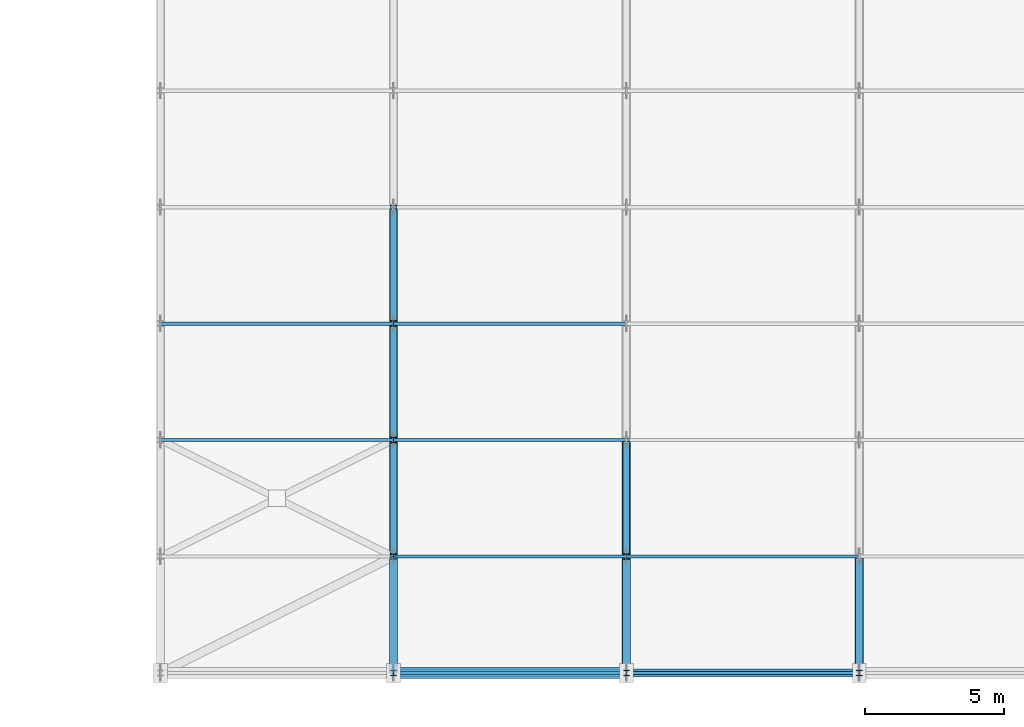
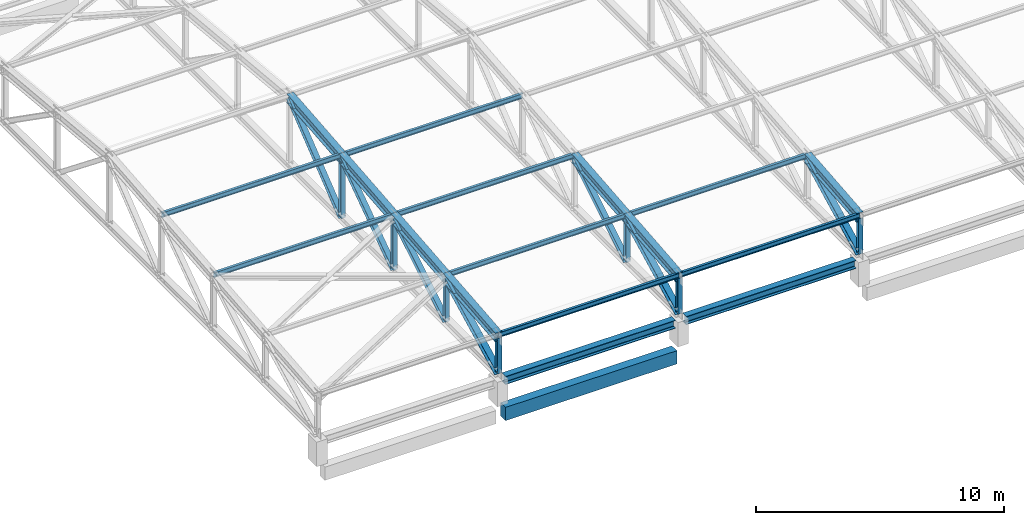
# One storey, part 12 of 74: 22 members, 10 beams.
"""IFC4 building model written with IfcOpenShell, lengths in metres."""

import ifcopenshell
import ifcopenshell.guid

model = None  # the IFC model being written
_history = None  # IfcOwnerHistory: only IFC2X3 demands one
_inside = {}  # id of a spatial element -> (the spatial element, [elements in it])
_under = {}  # id of a project, library or spatial element -> (it, [spatial elements below it])
_declared = {}  # id of a project -> (the project, [libraries it declares])
_typed = {}  # id of a type object -> (the type object, [elements of that type])
_made_of = {}  # id of a material, layer set ... -> (it, [elements and type objects made of it])


def new_model(schema):
    """Start an empty IFC model of exactly this schema.

    Asked for "IFC4X3", IfcOpenShell would pick the latest addendum, in which some entities
    have other attributes; the version numbers below select the first issue.
    IFC2X3 requires an IfcOwnerHistory on every rooted entity: one is made here for all.
    """
    global model, _history
    if schema == "IFC4X3":
        model = ifcopenshell.file(schema_version=(4, 3, 0, 0))
    else:
        model = ifcopenshell.file(schema=schema)
    _inside.clear()
    _under.clear()
    _declared.clear()
    _typed.clear()
    _made_of.clear()
    _history = None
    if model.schema == "IFC2X3":
        org = make("IfcOrganization", Name="unknown")
        user = make(
            "IfcPersonAndOrganization",
            ThePerson=make("IfcPerson", FamilyName="unknown"),
            TheOrganization=org,
        )
        app = make(
            "IfcApplication",
            ApplicationDeveloper=org,
            Version="unknown",
            ApplicationFullName="unknown",
            ApplicationIdentifier="unknown",
        )
        _history = make(
            "IfcOwnerHistory",
            OwningUser=user,
            OwningApplication=app,
            ChangeAction="ADDED",
            CreationDate=0,
        )
    return model


def make(cls, **values):
    """One entity of the class cls with the attributes given. An attribute that is None is left unset."""
    return model.create_entity(
        cls, **{name: value for name, value in values.items() if value is not None}
    )


def rooted(cls, **values):
    """An entity with a GlobalId (a new one), such as an element, a storey or a relation."""
    return make(cls, GlobalId=ifcopenshell.guid.new(), OwnerHistory=_history, **values)


def si_unit(unit_type, name, prefix=None):
    """IfcSIUnit, for example si_unit("LENGTHUNIT", "METRE", prefix="MILLI")."""
    return make("IfcSIUnit", UnitType=unit_type, Prefix=prefix, Name=name)


def derived_unit(unit_type, elements):
    """IfcDerivedUnit: a product of units, each with its exponent."""
    return make(
        "IfcDerivedUnit",
        Elements=[
            make("IfcDerivedUnitElement", Unit=unit, Exponent=power)
            for unit, power in elements
        ],
        UnitType=unit_type,
    )


def assignment(units):
    """IfcUnitAssignment: the units of a project."""
    return None if units is None else make("IfcUnitAssignment", Units=units)


def point(xyz):
    """IfcCartesianPoint."""
    return None if xyz is None else make("IfcCartesianPoint", Coordinates=xyz)


def direction(xyz):
    """IfcDirection."""
    return None if xyz is None else make("IfcDirection", DirectionRatios=xyz)


def frame(location, z_axis=None, x_axis=None):
    """IfcAxis2Placement3D, a coordinate frame: its origin and axes. An axis left out is left unset."""
    return make(
        "IfcAxis2Placement3D",
        Location=point(location),
        Axis=direction(z_axis),
        RefDirection=direction(x_axis),
    )


def frame_2d(location, x_axis=None):
    """IfcAxis2Placement2D, a coordinate frame in the plane: its origin and x axis."""
    return make(
        "IfcAxis2Placement2D", Location=point(location), RefDirection=direction(x_axis)
    )


def origin():
    """The frame at (0, 0, 0) with its axes left unset."""
    return frame((0.0, 0.0, 0.0))


def origin_2d():
    """The frame at (0, 0) in the plane with its x axis left unset."""
    return frame_2d((0.0, 0.0))


def place(relative_to, where):
    """IfcLocalPlacement: puts the frame where relative to a parent placement (None: the world)."""
    return make(
        "IfcLocalPlacement", PlacementRelTo=relative_to, RelativePlacement=where
    )


def context(
    kind, dimensions, precision=None, world=None, true_north=None, identifier=None
):
    """IfcGeometricRepresentationContext, for example the 3D "Model" context."""
    return make(
        "IfcGeometricRepresentationContext",
        ContextIdentifier=identifier,
        ContextType=kind,
        CoordinateSpaceDimension=dimensions,
        Precision=precision,
        WorldCoordinateSystem=world,
        TrueNorth=true_north,
    )


def subcontext(parent, identifier, kind, view, scale=None):
    """IfcGeometricRepresentationSubContext, for example "Body" below "Model"."""
    return make(
        "IfcGeometricRepresentationSubContext",
        ContextIdentifier=identifier,
        ContextType=kind,
        ParentContext=parent,
        TargetScale=scale,
        TargetView=view,
    )


def project(units=None, contexts=None):
    """IfcProject with its units and contexts."""
    return rooted(
        "IfcProject",
        Name="project",
        RepresentationContexts=contexts,
        UnitsInContext=assignment(units),
    )


def spatial(cls, under=None, at=None, **own):
    """A site, building, storey or space (cls), placed at a placement, below another one or the project."""
    s = rooted(cls, ObjectPlacement=at, **own)
    if under is not None:
        _under.setdefault(under.id(), (under, []))[1].append(s)
    return s


def profile(cls, at=None, kind="AREA", **sizes):
    """A parametric profile (cls). Its sizes go by their IFC names, for example OverallWidth=200.0."""
    return make(cls, ProfileType=kind, Position=at, **sizes)


def rectangle(**sizes):
    """IfcRectangleProfileDef."""
    return profile("IfcRectangleProfileDef", **sizes)


def i_section(**sizes):
    """IfcIShapeProfileDef."""
    return profile("IfcIShapeProfileDef", **sizes)


def extrude(swept, where, along, depth):
    """IfcExtrudedAreaSolid: the profile swept, set in the frame where, extruded along a direction by depth."""
    return make(
        "IfcExtrudedAreaSolid",
        SweptArea=swept,
        Position=where,
        ExtrudedDirection=direction(along),
        Depth=depth,
    )


def shape(context_of_items, identifier, shape_type, items):
    """IfcShapeRepresentation: the items that make up one representation, for example the "Body"."""
    return make(
        "IfcShapeRepresentation",
        ContextOfItems=context_of_items,
        RepresentationIdentifier=identifier,
        RepresentationType=shape_type,
        Items=items,
    )


def material(Name=None, Category=None):
    """IfcMaterial."""
    return make("IfcMaterial", Name=Name, Category=Category)


def material_profile(
    of_material, cross_section, Name=None, Category=None, Priority=None
):
    """IfcMaterialProfile: a cross section and its material."""
    return make(
        "IfcMaterialProfile",
        Name=Name,
        Material=of_material,
        Profile=cross_section,
        Priority=Priority,
        Category=Category,
    )


def profile_set(profiles, Name=None, composite=None):
    """IfcMaterialProfileSet."""
    return make(
        "IfcMaterialProfileSet",
        Name=Name,
        MaterialProfiles=profiles,
        CompositeProfile=composite,
    )


def made_of(thing, what):
    """Note that an element or type object is made of a material, layer set ...; save() writes the relation."""
    if what is not None:
        _made_of.setdefault(what.id(), (what, []))[1].append(thing)
    return thing


def type_object(cls, material=None, **own):
    """A type object (cls), such as IfcWallType, which elements share."""
    return made_of(rooted(cls, **own), material)


def element(
    cls,
    number,
    at=None,
    inside=None,
    cuts=None,
    type_object=None,
    material=None,
    context=None,
    identifier="Body",
    shape_type=None,
    held_by="IfcProductDefinitionShape",
    body=None,
    shapes=None,
    **own,
):
    """One element of the class cls, such as IfcWall. Its Tag is "e" and its number.

    at: its placement. inside: the storey or other place that contains it. cuts: it is an
    opening in that element (IfcRelVoidsElement). A single representation is given by context,
    identifier, shape_type and body (its items); several are given by shapes. held_by: the class
    of the entity that holds the representations. save() writes the other relations.
    """
    e = rooted(cls, Tag="e%d" % number, ObjectPlacement=at, **own)
    if body is not None:
        shapes = [shape(context, identifier, shape_type, body)]
    if shapes is not None:
        e.Representation = make(held_by, Representations=shapes)
    if inside is not None:
        _inside.setdefault(inside.id(), (inside, []))[1].append(e)
    if cuts is not None:
        rooted(
            "IfcRelVoidsElement", RelatingBuildingElement=cuts, RelatedOpeningElement=e
        )
    if type_object is not None:
        _typed.setdefault(type_object.id(), (type_object, []))[1].append(e)
    return made_of(e, material)


def aggregate(whole, parts):
    """IfcRelAggregates: a whole, such as a stair, and the parts it consists of."""
    return rooted("IfcRelAggregates", RelatingObject=whole, RelatedObjects=parts)


def save(model, path):
    """Write the relations noted so far, then the file.

    IfcRelAggregates (storeys below a building ...), IfcRelContainedInSpatialStructure (elements
    in a storey), IfcRelDefinesByType, IfcRelAssociatesMaterial and IfcRelDeclares: one each for
    every whole, place, type object, material and project.
    """
    for whole, parts in _under.values():
        aggregate(whole, parts)
    for where, things in _inside.values():
        rooted(
            "IfcRelContainedInSpatialStructure",
            RelatedElements=things,
            RelatingStructure=where,
        )
    for kind, things in _typed.values():
        rooted("IfcRelDefinesByType", RelatedObjects=things, RelatingType=kind)
    for what, things in _made_of.values():
        rooted("IfcRelAssociatesMaterial", RelatedObjects=things, RelatingMaterial=what)
    for by, libraries in _declared.values():
        rooted("IfcRelDeclares", RelatingContext=by, RelatedDefinitions=libraries)
    model.write(path)


model = new_model("IFC4")

# Units and contexts
model_context = context("Model", 3, precision=1e-05, world=origin(), true_north=direction((0.0, 1.0)))
body_context = subcontext(model_context, "Body", "Model", "MODEL_VIEW")
ifc_project = project(units=[si_unit("LENGTHUNIT", "METRE"), si_unit("AREAUNIT", "SQUARE_METRE"), si_unit("VOLUMEUNIT", "CUBIC_METRE"), si_unit("PLANEANGLEUNIT", "RADIAN"), si_unit("MASSUNIT", "GRAM", prefix="KILO"), derived_unit("THERMALTRANSMITTANCEUNIT", [(si_unit("POWERUNIT", "WATT"), 1), (si_unit("LENGTHUNIT", "METRE"), -2), (si_unit("THERMODYNAMICTEMPERATUREUNIT", "KELVIN"), -1)])], contexts=[model_context])

# Site, building, storey
site_placement = place(None, origin())
site = spatial("IfcSite", under=ifc_project, at=site_placement, CompositionType="ELEMENT")
building_placement = place(site_placement, origin())
building = spatial("IfcBuilding", under=site, at=building_placement, Name="Elbkamm Science Centre", CompositionType="ELEMENT")
storey_placement = place(building_placement, frame((0.0, 0.0, 14.39990234375)))
storey = spatial("IfcBuildingStorey", under=building, at=storey_placement, Name="L03", CompositionType="ELEMENT", Elevation=14.39990234375)

# Beams
ifc_material_1 = material(Name="Concrete C40/50", Category="concrete")
ifc_material_profile_1 = material_profile(ifc_material_1, rectangle(XDim=0.39990234375, YDim=0.64990234375, at=origin_2d()), Name="RC 400x650")
ifc_profile_set_1 = profile_set([ifc_material_profile_1], Name="Concrete C40/50")
beam_type_1 = type_object("IfcBeamType", Name="BM-RC-400x650", PredefinedType="BEAM", material=ifc_profile_set_1)
beam_1_placement = place(storey_placement, frame((83.780029296875, 0.0, -0.60498046875), z_axis=(-1.0, 0.0, 0.0), x_axis=(0.0, -1.0, 0.0)))
element("IfcBeam", 1, at=beam_1_placement, inside=storey, type_object=beam_type_1, Name="L03 Perimeter Ring Tie Girder 051", PredefinedType="BEAM", context=body_context, shape_type="SweptSolid", body=[
    extrude(rectangle(XDim=0.39990234375, YDim=0.64990234375, at=origin_2d()), origin(), (0.0, 0.0, 1.0), 7.9599609375),
])
ifc_material_2 = material(Name="Steel EN 10025-2 S355J2", Category="steel")
ifc_material_profile_2 = material_profile(ifc_material_2, i_section(OverallWidth=0.300048828125, OverallDepth=0.39990234375, WebThickness=0.013427734375, FlangeThickness=0.02392578125, FilletRadius=0.027099609375, at=origin_2d()), Name="HEB 400")
ifc_profile_set_2 = profile_set([ifc_material_profile_2], Name="Steel EN 10025-2 S355J2")
beam_type_2 = type_object("IfcBeamType", Name="BM-STL-HEB400", PredefinedType="BEAM", material=ifc_profile_set_2)
for number, where, z_axis, x_axis, name in (
    (2, (75.85009765625, 0.0, 1.0), (1.0, 0.0, 0.0), (0.0, 1.0, 0.0), "Theatre Eave Tie Girder S02"),
    (3, (84.25, 0.0, 1.0), (1.0, 0.0, 0.0), (0.0, 1.0, 0.0), "Theatre Eave Tie Girder S03"),
):
    element("IfcBeam", number, at=place(storey_placement, frame(where, z_axis=z_axis, x_axis=x_axis)), inside=storey, type_object=beam_type_2, Name=name, PredefinedType="SPANDREL", context=body_context, shape_type="SweptSolid", body=[
        extrude(i_section(OverallWidth=0.300048828125, OverallDepth=0.39990234375, WebThickness=0.013427734375, FlangeThickness=0.02392578125, FilletRadius=0.027099609375, at=origin_2d()), origin(), (0.0, 0.0, 1.0), 7.89990234375),
    ])
ifc_material_profile_3 = material_profile(ifc_material_2, i_section(OverallWidth=0.300048828125, OverallDepth=0.449951171875, WebThickness=0.013916015625, FlangeThickness=0.02587890625, FilletRadius=0.027099609375, at=origin_2d()), Name="HEB 450")
ifc_profile_set_3 = profile_set([ifc_material_profile_3], Name="Steel EN 10025-2 S355J2")
beam_type_3 = type_object("IfcBeamType", Name="BM-STL-HEB450", PredefinedType="BEAM", material=ifc_profile_set_3)
for number, where, z_axis, x_axis, name in (
    (4, (75.60009765625, 0.0, 3.156982421875), (0.0, 0.995562844443, 0.094099005119), (-1.0, 0.0, 0.0), "Theatre Steel Truss 02 Top Chord 1"),
    (5, (75.60009765625, 4.199951171875, 3.553955078125), (0.0, 0.995557421336, 0.094156363687), (-1.0, 0.0, 0.0), "Theatre Steel Truss 02 Top Chord 2"),
):
    element("IfcBeam", number, at=place(storey_placement, frame(where, z_axis=z_axis, x_axis=x_axis)), inside=storey, type_object=beam_type_3, Name=name, PredefinedType="BEAM", context=body_context, shape_type="SweptSolid", body=[
        extrude(i_section(OverallWidth=0.300048828125, OverallDepth=0.449951171875, WebThickness=0.013916015625, FlangeThickness=0.02587890625, FilletRadius=0.027099609375, at=origin_2d()), origin(), (0.0, 0.0, 1.0), 4.21875),
    ])
beam_2_placement = place(storey_placement, frame((75.60009765625, 8.39990234375, 3.951171875), z_axis=(0.0, 0.995563356829, 0.094093583946), x_axis=(-1.0, 0.0, 0.0)))
element("IfcBeam", 6, at=beam_2_placement, inside=storey, type_object=beam_type_3, Name="Theatre Steel Truss 02 Top Chord 3", PredefinedType="BEAM", context=body_context, shape_type="SweptSolid", body=[
    extrude(i_section(OverallWidth=0.300048828125, OverallDepth=0.449951171875, WebThickness=0.013916015625, FlangeThickness=0.02587890625, FilletRadius=0.027099609375, at=origin_2d()), origin(), (0.0, 0.0, 1.0), 4.218994140625),
])
for number, where, z_axis, x_axis, name in (
    (7, (75.60009765625, 12.60009765625, 4.34814453125), (0.0, 0.995562844443, 0.094099005119), (-1.0, 0.0, 0.0), "Theatre Steel Truss 02 Top Chord 4"),
    (8, (84.0, 0.0, 3.156982421875), (0.0, 0.995562844443, 0.094099005119), (-1.0, 0.0, 0.0), "Theatre Steel Truss 03 Top Chord 1"),
    (9, (84.0, 4.199951171875, 3.553955078125), (0.0, 0.995557421336, 0.094156363687), (-1.0, 0.0, 0.0), "Theatre Steel Truss 03 Top Chord 2"),
    (10, (92.39990234375, 0.0, 3.156982421875), (0.0, 0.995562844443, 0.094099005119), (-1.0, 0.0, 0.0), "Theatre Steel Truss 04 Top Chord 1"),
):
    element("IfcBeam", number, at=place(storey_placement, frame(where, z_axis=z_axis, x_axis=x_axis)), inside=storey, type_object=beam_type_3, Name=name, PredefinedType="BEAM", context=body_context, shape_type="SweptSolid", body=[
        extrude(i_section(OverallWidth=0.300048828125, OverallDepth=0.449951171875, WebThickness=0.013916015625, FlangeThickness=0.02587890625, FilletRadius=0.027099609375, at=origin_2d()), origin(), (0.0, 0.0, 1.0), 4.21875),
    ])

# Members
ifc_material_profile_4 = material_profile(ifc_material_2, i_section(OverallWidth=0.239990234375, OverallDepth=0.22998046875, WebThickness=0.007568359375, FlangeThickness=0.011962890625, FilletRadius=0.02099609375, at=origin_2d()), Name="HEA 240")
ifc_profile_set_4 = profile_set([ifc_material_profile_4], Name="Steel EN 10025-2 S355J2")
member_type_1 = type_object("IfcMemberType", Name="MEM-BRACE-HEA240", PredefinedType="BRACE", material=ifc_profile_set_4)
member_1_placement = place(storey_placement, frame((75.60009765625, 4.199951171875, 1.400146484375), z_axis=(0.0, 0.854692256273, 0.519134998884), x_axis=(-1.0, 0.0, 0.0)))
element("IfcMember", 11, at=member_1_placement, inside=storey, type_object=member_type_1, Name="Theatre Steel Truss 02 Diagonal Brace 2", PredefinedType="BRACE", context=body_context, shape_type="SweptSolid", body=[
    extrude(i_section(OverallWidth=0.239990234375, OverallDepth=0.22998046875, WebThickness=0.007568359375, FlangeThickness=0.011962890625, FilletRadius=0.02099609375, at=origin_2d()), origin(), (0.0, 0.0, 1.0), 4.9140625),
])
member_2_placement = place(storey_placement, frame((75.60009765625, 8.39990234375, 1.400146484375), z_axis=(0.0, 0.818511556226, 0.574490062859), x_axis=(-1.0, 0.0, 0.0)))
element("IfcMember", 12, at=member_2_placement, inside=storey, type_object=member_type_1, Name="Theatre Steel Truss 02 Diagonal Brace 3", PredefinedType="BRACE", context=body_context, shape_type="SweptSolid", body=[
    extrude(i_section(OverallWidth=0.239990234375, OverallDepth=0.22998046875, WebThickness=0.007568359375, FlangeThickness=0.011962890625, FilletRadius=0.02099609375, at=origin_2d()), origin(), (0.0, 0.0, 1.0), 5.131591796875),
])
member_3_placement = place(storey_placement, frame((75.60009765625, 12.60009765625, 1.400146484375), z_axis=(0.0, 0.782228850419, 0.62299119221), x_axis=(-1.0, 0.0, 0.0)))
element("IfcMember", 13, at=member_3_placement, inside=storey, type_object=member_type_1, Name="Theatre Steel Truss 02 Diagonal Brace 4", PredefinedType="BRACE", context=body_context, shape_type="SweptSolid", body=[
    extrude(i_section(OverallWidth=0.239990234375, OverallDepth=0.22998046875, WebThickness=0.007568359375, FlangeThickness=0.011962890625, FilletRadius=0.02099609375, at=origin_2d()), origin(), (0.0, 0.0, 1.0), 5.369140625),
])
member_4_placement = place(storey_placement, frame((84.0, 4.199951171875, 1.400146484375), z_axis=(0.0, 0.854692256273, 0.519134998884), x_axis=(-1.0, 0.0, 0.0)))
element("IfcMember", 14, at=member_4_placement, inside=storey, type_object=member_type_1, Name="Theatre Steel Truss 03 Diagonal Brace 2", PredefinedType="BRACE", context=body_context, shape_type="SweptSolid", body=[
    extrude(i_section(OverallWidth=0.239990234375, OverallDepth=0.22998046875, WebThickness=0.007568359375, FlangeThickness=0.011962890625, FilletRadius=0.02099609375, at=origin_2d()), origin(), (0.0, 0.0, 1.0), 4.9140625),
])
ifc_material_profile_5 = material_profile(ifc_material_2, i_section(OverallWidth=0.280029296875, OverallDepth=0.27001953125, WebThickness=0.008056640625, FlangeThickness=0.012939453125, FilletRadius=0.02392578125, at=origin_2d()), Name="HEA 280")
ifc_profile_set_5 = profile_set([ifc_material_profile_5], Name="Steel EN 10025-2 S355J2")
member_type_2 = type_object("IfcMemberType", Name="MEM-BRACE-HEA280", PredefinedType="BRACE", material=ifc_profile_set_5)
for number, where, z_axis, x_axis, name in (
    (15, (75.60009765625, 0.0, 1.400146484375), (0.0, 0.889818539845, 0.456314547376), (-1.0, 0.0, 0.0), "Theatre Steel Truss 02 Diagonal Brace 1"),
    (16, (84.0, 0.0, 1.400146484375), (0.0, 0.889818539845, 0.456314547376), (-1.0, 0.0, 0.0), "Theatre Steel Truss 03 Diagonal Brace 1"),
    (17, (92.39990234375, 0.0, 1.400146484375), (0.0, 0.889818539845, 0.456314547376), (-1.0, 0.0, 0.0), "Theatre Steel Truss 04 Diagonal Brace 1"),
):
    element("IfcMember", number, at=place(storey_placement, frame(where, z_axis=z_axis, x_axis=x_axis)), inside=storey, type_object=member_type_2, Name=name, PredefinedType="BRACE", context=body_context, shape_type="SweptSolid", body=[
        extrude(i_section(OverallWidth=0.280029296875, OverallDepth=0.27001953125, WebThickness=0.008056640625, FlangeThickness=0.012939453125, FilletRadius=0.02392578125, at=origin_2d()), origin(), (0.0, 0.0, 1.0), 4.719970703125),
    ])
ifc_material_profile_6 = material_profile(ifc_material_2, i_section(OverallWidth=0.1201171875, OverallDepth=0.239990234375, WebThickness=0.006103515625, FlangeThickness=0.009765625, FilletRadius=0.014892578125, at=origin_2d()), Name="IPE 240")
ifc_profile_set_6 = profile_set([ifc_material_profile_6], Name="Steel EN 10025-2 S355J2")
member_type_3 = type_object("IfcMemberType", Name="MEM-PURLIN-IPE240", PredefinedType="PURLIN", material=ifc_profile_set_6)
for number, where, z_axis, x_axis, name in (
    (18, (67.199951171875, 8.39990234375, 4.051025390625), (1.0, 0.0, 0.0), (0.0, 1.0, 0.0), "Theatre Roof Purlin Bay 1-3"),
    (19, (67.199951171875, 12.60009765625, 4.447998046875), (1.0, 0.0, 0.0), (0.0, 1.0, 0.0), "Theatre Roof Purlin Bay 1-4"),
):
    element("IfcMember", number, at=place(storey_placement, frame(where, z_axis=z_axis, x_axis=x_axis)), inside=storey, type_object=member_type_3, Name=name, PredefinedType="PURLIN", context=body_context, shape_type="SweptSolid", body=[
        extrude(i_section(OverallWidth=0.1201171875, OverallDepth=0.239990234375, WebThickness=0.006103515625, FlangeThickness=0.009765625, FilletRadius=0.014892578125, at=origin_2d()), origin(), (0.0, 0.0, 1.0), 8.400146484375),
    ])
for number, where, z_axis, x_axis, name in (
    (20, (75.60009765625, 0.0, 3.257080078125), (1.0, 0.0, 0.0), (0.0, 1.0, 0.0), "Theatre Roof Purlin Bay 2-1"),
    (21, (75.60009765625, 4.199951171875, 3.654052734375), (1.0, 0.0, 0.0), (0.0, 1.0, 0.0), "Theatre Roof Purlin Bay 2-2"),
    (22, (75.60009765625, 8.39990234375, 4.051025390625), (1.0, 0.0, 0.0), (0.0, 1.0, 0.0), "Theatre Roof Purlin Bay 2-3"),
    (23, (75.60009765625, 12.60009765625, 4.447998046875), (1.0, 0.0, 0.0), (0.0, 1.0, 0.0), "Theatre Roof Purlin Bay 2-4"),
    (24, (84.0, 0.0, 3.257080078125), (1.0, 0.0, 0.0), (0.0, 1.0, 0.0), "Theatre Roof Purlin Bay 3-1"),
    (25, (84.0, 4.199951171875, 3.654052734375), (1.0, 0.0, 0.0), (0.0, 1.0, 0.0), "Theatre Roof Purlin Bay 3-2"),
):
    element("IfcMember", number, at=place(storey_placement, frame(where, z_axis=z_axis, x_axis=x_axis)), inside=storey, type_object=member_type_3, Name=name, PredefinedType="PURLIN", context=body_context, shape_type="SweptSolid", body=[
        extrude(i_section(OverallWidth=0.1201171875, OverallDepth=0.239990234375, WebThickness=0.006103515625, FlangeThickness=0.009765625, FilletRadius=0.014892578125, at=origin_2d()), origin(), (0.0, 0.0, 1.0), 8.39990234375),
    ])
ifc_material_profile_7 = material_profile(ifc_material_2, i_section(OverallWidth=0.199951171875, OverallDepth=0.199951171875, WebThickness=0.009033203125, FlangeThickness=0.014892578125, FilletRadius=0.01806640625, at=origin_2d()), Name="HEB 200")
ifc_profile_set_7 = profile_set([ifc_material_profile_7], Name="Steel EN 10025-2 S355J2")
member_type_4 = type_object("IfcMemberType", Name="MEM-STRUT-HEB200", PredefinedType="STRUT", material=ifc_profile_set_7)
member_5_placement = place(storey_placement, frame((75.60009765625, 0.0, 1.400146484375), z_axis=(0.0, 0.0, 1.0), x_axis=(1.0, 0.0, 0.0)))
element("IfcMember", 26, at=member_5_placement, inside=storey, type_object=member_type_4, Name="Theatre Steel Truss 02 Vertical Strut 1", PredefinedType="STRUT", context=body_context, shape_type="SweptSolid", body=[
    extrude(i_section(OverallWidth=0.199951171875, OverallDepth=0.199951171875, WebThickness=0.009033203125, FlangeThickness=0.014892578125, FilletRadius=0.01806640625, at=origin_2d()), origin(), (0.0, 0.0, 1.0), 1.7568359375),
])
member_6_placement = place(storey_placement, frame((75.60009765625, 4.199951171875, 1.400146484375), z_axis=(0.0, 0.0, 1.0), x_axis=(1.0, 0.0, 0.0)))
element("IfcMember", 27, at=member_6_placement, inside=storey, type_object=member_type_4, Name="Theatre Steel Truss 02 Vertical Strut 2", PredefinedType="STRUT", context=body_context, shape_type="SweptSolid", body=[
    extrude(i_section(OverallWidth=0.199951171875, OverallDepth=0.199951171875, WebThickness=0.009033203125, FlangeThickness=0.014892578125, FilletRadius=0.01806640625, at=origin_2d()), origin(), (0.0, 0.0, 1.0), 2.15380859375),
])
member_7_placement = place(storey_placement, frame((75.60009765625, 8.39990234375, 1.400146484375), z_axis=(0.0, 0.0, 1.0), x_axis=(1.0, 0.0, 0.0)))
element("IfcMember", 28, at=member_7_placement, inside=storey, type_object=member_type_4, Name="Theatre Steel Truss 02 Vertical Strut 3", PredefinedType="STRUT", context=body_context, shape_type="SweptSolid", body=[
    extrude(i_section(OverallWidth=0.199951171875, OverallDepth=0.199951171875, WebThickness=0.009033203125, FlangeThickness=0.014892578125, FilletRadius=0.01806640625, at=origin_2d()), origin(), (0.0, 0.0, 1.0), 2.551025390625),
])
member_8_placement = place(storey_placement, frame((75.60009765625, 12.60009765625, 1.400146484375), z_axis=(0.0, 0.0, 1.0), x_axis=(1.0, 0.0, 0.0)))
element("IfcMember", 29, at=member_8_placement, inside=storey, type_object=member_type_4, Name="Theatre Steel Truss 02 Vertical Strut 4", PredefinedType="STRUT", context=body_context, shape_type="SweptSolid", body=[
    extrude(i_section(OverallWidth=0.199951171875, OverallDepth=0.199951171875, WebThickness=0.009033203125, FlangeThickness=0.014892578125, FilletRadius=0.01806640625, at=origin_2d()), origin(), (0.0, 0.0, 1.0), 2.947998046875),
])
member_9_placement = place(storey_placement, frame((84.0, 0.0, 1.400146484375), z_axis=(0.0, 0.0, 1.0), x_axis=(1.0, 0.0, 0.0)))
element("IfcMember", 30, at=member_9_placement, inside=storey, type_object=member_type_4, Name="Theatre Steel Truss 03 Vertical Strut 1", PredefinedType="STRUT", context=body_context, shape_type="SweptSolid", body=[
    extrude(i_section(OverallWidth=0.199951171875, OverallDepth=0.199951171875, WebThickness=0.009033203125, FlangeThickness=0.014892578125, FilletRadius=0.01806640625, at=origin_2d()), origin(), (0.0, 0.0, 1.0), 1.7568359375),
])
member_10_placement = place(storey_placement, frame((84.0, 4.199951171875, 1.400146484375), z_axis=(0.0, 0.0, 1.0), x_axis=(1.0, 0.0, 0.0)))
element("IfcMember", 31, at=member_10_placement, inside=storey, type_object=member_type_4, Name="Theatre Steel Truss 03 Vertical Strut 2", PredefinedType="STRUT", context=body_context, shape_type="SweptSolid", body=[
    extrude(i_section(OverallWidth=0.199951171875, OverallDepth=0.199951171875, WebThickness=0.009033203125, FlangeThickness=0.014892578125, FilletRadius=0.01806640625, at=origin_2d()), origin(), (0.0, 0.0, 1.0), 2.15380859375),
])
member_11_placement = place(storey_placement, frame((92.39990234375, 0.0, 1.400146484375), z_axis=(0.0, 0.0, 1.0), x_axis=(1.0, 0.0, 0.0)))
element("IfcMember", 32, at=member_11_placement, inside=storey, type_object=member_type_4, Name="Theatre Steel Truss 04 Vertical Strut 1", PredefinedType="STRUT", context=body_context, shape_type="SweptSolid", body=[
    extrude(i_section(OverallWidth=0.199951171875, OverallDepth=0.199951171875, WebThickness=0.009033203125, FlangeThickness=0.014892578125, FilletRadius=0.01806640625, at=origin_2d()), origin(), (0.0, 0.0, 1.0), 1.7568359375),
])

save(model, "model.ifc")
